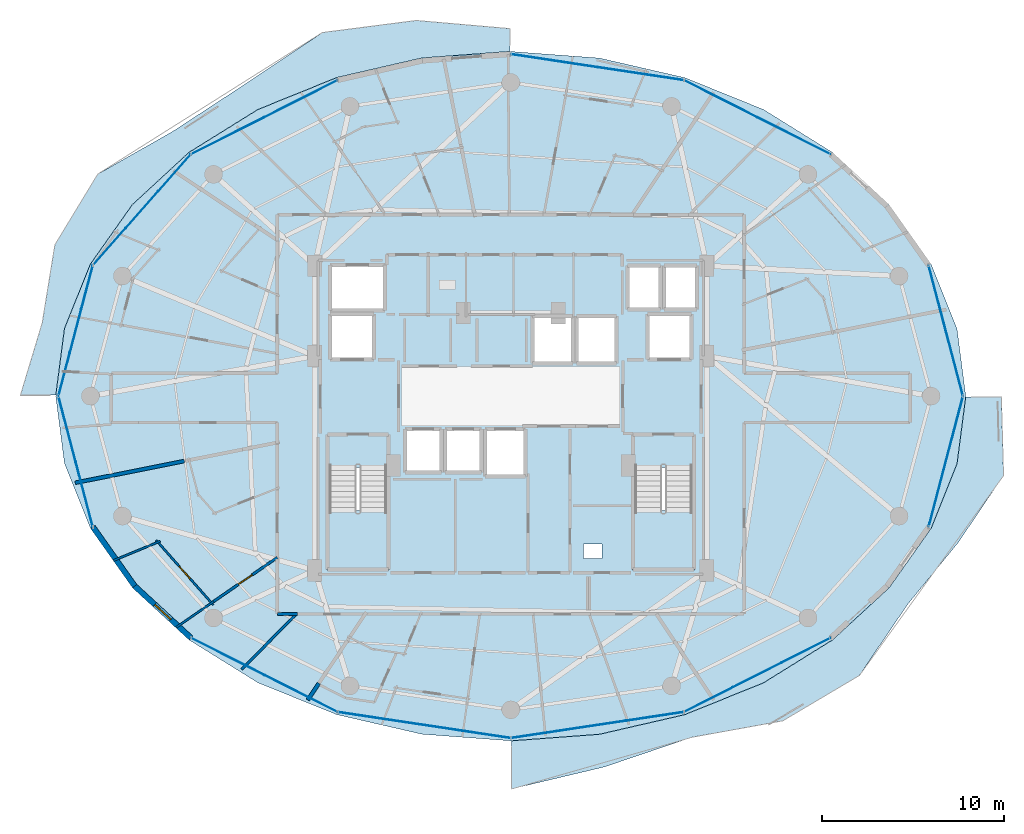
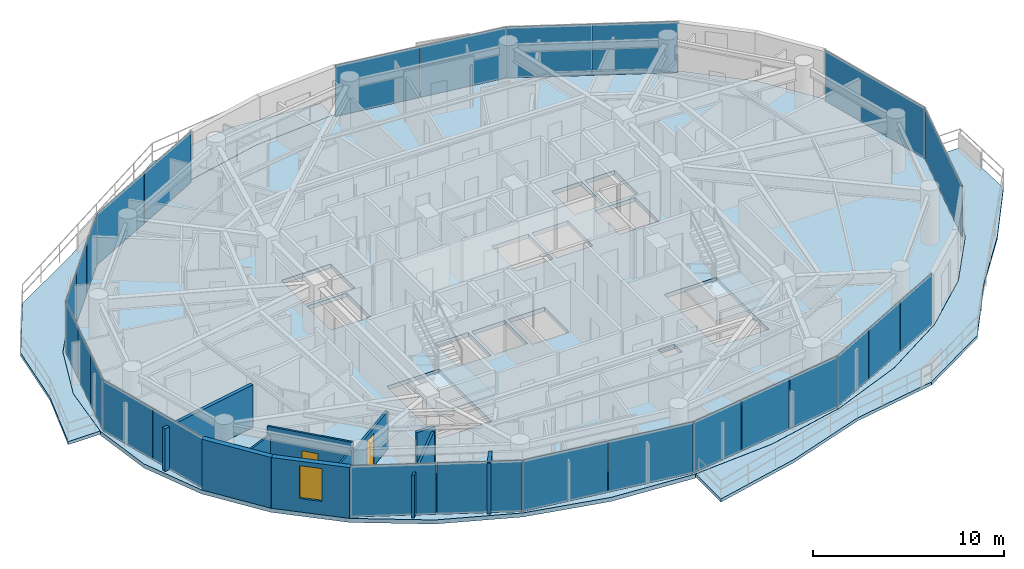
# One storey, part 20 of 30: 26 plates, 10 walls, 5 slabs, 2 doors, 1 window, 3 openings, 6 elements without a shape of their own.
"""IFC4 building model written with IfcOpenShell, lengths in metres."""

from ifc_helpers import new_model, si_unit, direction, frame, frame_2d, origin, origin_2d, place, context, subcontext, project, spatial, polyline, rectangle, outline, extrude, material, layer, layer_set, type_object, element, fill, aggregate, save


model = new_model("IFC4")

# Units and contexts
model_context = context("Model", 3, precision=1e-05, world=origin(), true_north=direction((0.0, 1.0)))
body_context = subcontext(model_context, "Body", "Model", "MODEL_VIEW")
ifc_project = project(units=[si_unit("LENGTHUNIT", "METRE"), si_unit("AREAUNIT", "SQUARE_METRE"), si_unit("VOLUMEUNIT", "CUBIC_METRE"), si_unit("PLANEANGLEUNIT", "RADIAN"), si_unit("MASSUNIT", "GRAM", prefix="KILO")], contexts=[model_context])

# Site, building, storey
site_placement = place(None, origin())
site = spatial("IfcSite", under=ifc_project, at=site_placement, CompositionType="ELEMENT")
building_placement = place(site_placement, origin())
building = spatial("IfcBuilding", under=site, at=building_placement, Name="Vorneva Point Tower", CompositionType="ELEMENT")
storey_placement = place(building_placement, frame((0.0, 0.0, 157.10009765625)))
storey = spatial("IfcBuildingStorey", under=building, at=storey_placement, Name="L42", CompositionType="ELEMENT", Elevation=157.10009765625)

# Curtain wall, plates
ifc_material_1 = material(Name="Pale anodised aluminium", Category="aluminium")
curtain_wall_type = type_object("IfcCurtainWallType", Name="CW-RES-SYS", PredefinedType="NOTDEFINED", material=ifc_material_1)
curtain_wall_1_placement = place(storey_placement, origin())
curtain_wall_1 = element("IfcCurtainWall", 1, at=curtain_wall_1_placement, inside=storey, type_object=curtain_wall_type, Name="L42 Unitised Curtain Wall CW-L42-R01", PredefinedType="NOTDEFINED")
ifc_material_2 = material(Name="Double low-e laminated glass IGU", Category="glass")
ifc_layer_1 = layer(ifc_material_2, 0.035888671875)
ifc_layer_set_1 = layer_set([ifc_layer_1], Name="Double low-e laminated glass IGU")
plate_type = type_object("IfcPlateType", Name="CW-PNL-VIS", PredefinedType="CURTAIN_PANEL", material=ifc_layer_set_1)
plate_1_placement = place(storey_placement, frame((61.856201171875, 22.412353515625, -0.02001953125), z_axis=(0.0, 0.0, 1.0), x_axis=(0.254433162972, 0.967090360608, 0.0)))
plate_1 = element("IfcPlate", 2, at=plate_1_placement, type_object=plate_type, Name="CW-L42-R01 Glazed Panel 01", PredefinedType="CURTAIN_PANEL", context=body_context, shape_type="SweptSolid", body=[
    extrude(rectangle(XDim=7.369384765625, YDim=0.035888671875, at=origin_2d()), origin(), (0.0, 0.0, 1.0), 3.280029296875),
])
plate_2_placement = place(storey_placement, frame((61.856201171875, 29.587646484375, -0.02001953125), z_axis=(0.0, 0.0, 1.0), x_axis=(-0.254433162972, 0.967090360608, 0.0)))
plate_2 = element("IfcPlate", 3, at=plate_2_placement, type_object=plate_type, Name="CW-L42-R01 Glazed Panel 02", PredefinedType="CURTAIN_PANEL", context=body_context, shape_type="SweptSolid", body=[
    extrude(rectangle(XDim=7.369384765625, YDim=0.035888671875, at=origin_2d()), origin(), (0.0, 0.0, 1.0), 3.280029296875),
])
aggregate(curtain_wall_1, [plate_1, plate_2])

curtain_wall_2_placement = place(storey_placement, origin())
curtain_wall_2 = element("IfcCurtainWall", 4, at=curtain_wall_2_placement, inside=storey, type_object=curtain_wall_type, Name="L42 Unitised Curtain Wall CW-L42-R02", PredefinedType="NOTDEFINED")
plate_3_placement = place(storey_placement, frame((53.52490234375, 40.2744140625, -0.02001953125), z_axis=(0.0, 0.0, 1.0), x_axis=(-0.892577949019, 0.450893119182, 0.0)))
plate_3 = element("IfcPlate", 5, at=plate_3_placement, type_object=plate_type, Name="CW-L42-R02 Glazed Panel 01A", PredefinedType="CURTAIN_PANEL", context=body_context, shape_type="SweptSolid", body=[
    extrude(rectangle(XDim=4.45703125, YDim=0.035888671875, at=origin_2d()), origin(), (0.0, 0.0, 1.0), 3.280029296875),
])
plate_4_placement = place(storey_placement, frame((49.501953125, 42.306640625, -0.02001953125), z_axis=(0.0, 0.0, 1.0), x_axis=(-0.892577949019, 0.450893119182, 0.0)))
plate_4 = element("IfcPlate", 6, at=plate_4_placement, type_object=plate_type, Name="CW-L42-R02 Glazed Panel 01B", PredefinedType="CURTAIN_PANEL", context=body_context, shape_type="SweptSolid", body=[
    extrude(rectangle(XDim=4.45703125, YDim=0.035888671875, at=origin_2d()), origin(), (0.0, 0.0, 1.0), 3.280029296875),
])
plate_5_placement = place(storey_placement, frame((45.117919921875, 43.679443359375, -0.02001953125), z_axis=(0.0, 0.0, 1.0), x_axis=(-0.988878712919, 0.148724211669, 0.0)))
plate_5 = element("IfcPlate", 7, at=plate_5_placement, type_object=plate_type, Name="CW-L42-R02 Glazed Panel 02A", PredefinedType="CURTAIN_PANEL", context=body_context, shape_type="SweptSolid", body=[
    extrude(rectangle(XDim=4.74853515625, YDim=0.035888671875, at=origin_2d()), origin(), (0.0, 0.0, 1.0), 3.280029296875),
])
plate_6_placement = place(storey_placement, frame((40.37255859375, 44.393310546875, -0.02001953125), z_axis=(0.0, 0.0, 1.0), x_axis=(-0.988878712919, 0.148724211669, 0.0)))
plate_6 = element("IfcPlate", 8, at=plate_6_placement, type_object=plate_type, Name="CW-L42-R02 Glazed Panel 02B", PredefinedType="CURTAIN_PANEL", context=body_context, shape_type="SweptSolid", body=[
    extrude(rectangle(XDim=4.74853515625, YDim=0.035888671875, at=origin_2d()), origin(), (0.0, 0.0, 1.0), 3.280029296875),
])
aggregate(curtain_wall_2, [plate_3, plate_4, plate_5, plate_6])

curtain_wall_3_placement = place(storey_placement, origin())
curtain_wall_3 = element("IfcCurtainWall", 9, at=curtain_wall_3_placement, inside=storey, type_object=curtain_wall_type, Name="L42 Unitised Curtain Wall CW-L42-R03", PredefinedType="NOTDEFINED")
plate_7_placement = place(storey_placement, frame((26.498046875, 42.306640625, -0.02001953125), z_axis=(0.0, 0.0, 1.0), x_axis=(-0.892577949019, -0.450893119182, 0.0)))
plate_7 = element("IfcPlate", 10, at=plate_7_placement, type_object=plate_type, Name="CW-L42-R03 Glazed Panel 01A", PredefinedType="CURTAIN_PANEL", context=body_context, shape_type="SweptSolid", body=[
    extrude(rectangle(XDim=4.45703125, YDim=0.035888671875, at=origin_2d()), origin(), (0.0, 0.0, 1.0), 3.280029296875),
])
plate_8_placement = place(storey_placement, frame((22.47509765625, 40.2744140625, -0.02001953125), z_axis=(0.0, 0.0, 1.0), x_axis=(-0.892577949019, -0.450893119182, 0.0)))
plate_8 = element("IfcPlate", 11, at=plate_8_placement, type_object=plate_type, Name="CW-L42-R03 Glazed Panel 01B", PredefinedType="CURTAIN_PANEL", context=body_context, shape_type="SweptSolid", body=[
    extrude(rectangle(XDim=4.45703125, YDim=0.035888671875, at=origin_2d()), origin(), (0.0, 0.0, 1.0), 3.280029296875),
])
plate_9_placement = place(storey_placement, frame((19.56787109375, 38.244384765625, -0.02001953125), z_axis=(0.0, 0.0, 1.0), x_axis=(-0.662214727207, -0.749314123095, 0.0)))
plate_9 = element("IfcPlate", 12, at=plate_9_placement, type_object=plate_type, Name="CW-L42-R03 Glazed Panel 02A", PredefinedType="CURTAIN_PANEL", context=body_context, shape_type="SweptSolid", body=[
    extrude(rectangle(XDim=2.656005859375, YDim=0.035888671875, at=origin_2d()), origin(), (0.0, 0.0, 1.0), 3.280029296875),
])
plate_10_placement = place(storey_placement, frame((17.77587890625, 36.216796875, -0.02001953125), z_axis=(0.0, 0.0, 1.0), x_axis=(-0.662214727207, -0.749314123095, 0.0)))
plate_10 = element("IfcPlate", 13, at=plate_10_placement, type_object=plate_type, Name="CW-L42-R03 Glazed Panel 02B", PredefinedType="CURTAIN_PANEL", context=body_context, shape_type="SweptSolid", body=[
    extrude(rectangle(XDim=2.656005859375, YDim=0.035888671875, at=origin_2d()), origin(), (0.0, 0.0, 1.0), 3.280029296875),
])
plate_11_placement = place(storey_placement, frame((15.98388671875, 34.189208984375, -0.02001953125), z_axis=(0.0, 0.0, 1.0), x_axis=(-0.662214727207, -0.749314123095, 0.0)))
plate_11 = element("IfcPlate", 14, at=plate_11_placement, type_object=plate_type, Name="CW-L42-R03 Glazed Panel 02C", PredefinedType="CURTAIN_PANEL", context=body_context, shape_type="SweptSolid", body=[
    extrude(rectangle(XDim=2.656005859375, YDim=0.035888671875, at=origin_2d()), origin(), (0.0, 0.0, 1.0), 3.280029296875),
])
plate_12_placement = place(storey_placement, frame((14.773193359375, 31.9794921875, -0.02001953125), z_axis=(0.0, 0.0, 1.0), x_axis=(-0.254433162972, -0.967090360608, 0.0)))
plate_12 = element("IfcPlate", 15, at=plate_12_placement, type_object=plate_type, Name="CW-L42-R03 Glazed Panel 03A", PredefinedType="CURTAIN_PANEL", context=body_context, shape_type="SweptSolid", body=[
    extrude(rectangle(XDim=2.423095703125, YDim=0.035888671875, at=origin_2d()), origin(), (0.0, 0.0, 1.0), 3.280029296875),
])
plate_13_placement = place(storey_placement, frame((14.143798828125, 29.587646484375, -0.02001953125), z_axis=(0.0, 0.0, 1.0), x_axis=(-0.254433162972, -0.967090360608, 0.0)))
plate_13 = element("IfcPlate", 16, at=plate_13_placement, type_object=plate_type, Name="CW-L42-R03 Glazed Panel 03B", PredefinedType="CURTAIN_PANEL", context=body_context, shape_type="SweptSolid", body=[
    extrude(rectangle(XDim=2.423095703125, YDim=0.035888671875, at=origin_2d()), origin(), (0.0, 0.0, 1.0), 3.280029296875),
])
plate_14_placement = place(storey_placement, frame((13.5146484375, 27.19580078125, -0.02001953125), z_axis=(0.0, 0.0, 1.0), x_axis=(-0.254433162972, -0.967090360608, 0.0)))
plate_14 = element("IfcPlate", 17, at=plate_14_placement, type_object=plate_type, Name="CW-L42-R03 Glazed Panel 03C", PredefinedType="CURTAIN_PANEL", context=body_context, shape_type="SweptSolid", body=[
    extrude(rectangle(XDim=2.423095703125, YDim=0.035888671875, at=origin_2d()), origin(), (0.0, 0.0, 1.0), 3.280029296875),
])
plate_15_placement = place(storey_placement, frame((13.671875, 24.206298828125, -0.02001953125), z_axis=(0.0, 0.0, 1.0), x_axis=(0.254433162972, -0.967090360608, 0.0)))
plate_15 = element("IfcPlate", 18, at=plate_15_placement, type_object=plate_type, Name="CW-L42-R03 Glazed Panel 04A", PredefinedType="CURTAIN_PANEL", context=body_context, shape_type="SweptSolid", body=[
    extrude(rectangle(XDim=3.65966796875, YDim=0.035888671875, at=origin_2d()), origin(), (0.0, 0.0, 1.0), 3.280029296875),
])
plate_16_placement = place(storey_placement, frame((14.615966796875, 20.618408203125, -0.02001953125), z_axis=(0.0, 0.0, 1.0), x_axis=(0.254433162972, -0.967090360608, 0.0)))
plate_16 = element("IfcPlate", 19, at=plate_16_placement, type_object=plate_type, Name="CW-L42-R03 Glazed Panel 04B", PredefinedType="CURTAIN_PANEL", context=body_context, shape_type="SweptSolid", body=[
    extrude(rectangle(XDim=3.65966796875, YDim=0.035888671875, at=origin_2d()), origin(), (0.0, 0.0, 1.0), 3.280029296875),
])
aggregate(curtain_wall_3, [plate_7, plate_8, plate_9, plate_10, plate_11, plate_12, plate_13, plate_14, plate_15, plate_16])

curtain_wall_4_placement = place(storey_placement, origin())
curtain_wall_4 = element("IfcCurtainWall", 20, at=curtain_wall_4_placement, inside=storey, type_object=curtain_wall_type, Name="L42 Unitised Curtain Wall CW-L42-R04", PredefinedType="NOTDEFINED")
plate_17_placement = place(storey_placement, frame((22.47509765625, 11.7255859375, -0.02001953125), z_axis=(0.0, 0.0, 1.0), x_axis=(0.892577949019, -0.450893119182, 0.0)))
plate_17 = element("IfcPlate", 21, at=plate_17_placement, type_object=plate_type, Name="CW-L42-R04 Glazed Panel 01A", PredefinedType="CURTAIN_PANEL", context=body_context, shape_type="SweptSolid", body=[
    extrude(rectangle(XDim=4.45703125, YDim=0.035888671875, at=origin_2d()), origin(), (0.0, 0.0, 1.0), 3.280029296875),
])
plate_18_placement = place(storey_placement, frame((26.498046875, 9.693359375, -0.02001953125), z_axis=(0.0, 0.0, 1.0), x_axis=(0.892577949019, -0.450893119182, 0.0)))
plate_18 = element("IfcPlate", 22, at=plate_18_placement, type_object=plate_type, Name="CW-L42-R04 Glazed Panel 01B", PredefinedType="CURTAIN_PANEL", context=body_context, shape_type="SweptSolid", body=[
    extrude(rectangle(XDim=4.45703125, YDim=0.035888671875, at=origin_2d()), origin(), (0.0, 0.0, 1.0), 3.280029296875),
])
plate_19_placement = place(storey_placement, frame((30.882080078125, 8.320556640625, -0.02001953125), z_axis=(0.0, 0.0, 1.0), x_axis=(0.988878712919, -0.148724211669, 0.0)))
plate_19 = element("IfcPlate", 23, at=plate_19_placement, type_object=plate_type, Name="CW-L42-R04 Glazed Panel 02A", PredefinedType="CURTAIN_PANEL", context=body_context, shape_type="SweptSolid", body=[
    extrude(rectangle(XDim=4.74853515625, YDim=0.035888671875, at=origin_2d()), origin(), (0.0, 0.0, 1.0), 3.280029296875),
])
plate_20_placement = place(storey_placement, frame((35.62744140625, 7.606689453125, -0.02001953125), z_axis=(0.0, 0.0, 1.0), x_axis=(0.988878712919, -0.148724211669, 0.0)))
plate_20 = element("IfcPlate", 24, at=plate_20_placement, type_object=plate_type, Name="CW-L42-R04 Glazed Panel 02B", PredefinedType="CURTAIN_PANEL", context=body_context, shape_type="SweptSolid", body=[
    extrude(rectangle(XDim=4.74853515625, YDim=0.035888671875, at=origin_2d()), origin(), (0.0, 0.0, 1.0), 3.280029296875),
])
plate_21_placement = place(storey_placement, frame((39.581787109375, 7.48779296875, -0.02001953125), z_axis=(0.0, 0.0, 1.0), x_axis=(0.988878712919, 0.148724211669, 0.0)))
plate_21 = element("IfcPlate", 25, at=plate_21_placement, type_object=plate_type, Name="CW-L42-R04 Glazed Panel 03A", PredefinedType="CURTAIN_PANEL", context=body_context, shape_type="SweptSolid", body=[
    extrude(rectangle(XDim=3.149169921875, YDim=0.035888671875, at=origin_2d()), origin(), (0.0, 0.0, 1.0), 3.280029296875),
])
plate_22_placement = place(storey_placement, frame((42.7451171875, 7.963623046875, -0.02001953125), z_axis=(0.0, 0.0, 1.0), x_axis=(0.988878712919, 0.148724211669, 0.0)))
plate_22 = element("IfcPlate", 26, at=plate_22_placement, type_object=plate_type, Name="CW-L42-R04 Glazed Panel 03B", PredefinedType="CURTAIN_PANEL", context=body_context, shape_type="SweptSolid", body=[
    extrude(rectangle(XDim=3.149169921875, YDim=0.035888671875, at=origin_2d()), origin(), (0.0, 0.0, 1.0), 3.280029296875),
])
plate_23_placement = place(storey_placement, frame((45.90869140625, 8.439453125, -0.02001953125), z_axis=(0.0, 0.0, 1.0), x_axis=(0.988878712919, 0.148724211669, 0.0)))
plate_23 = element("IfcPlate", 27, at=plate_23_placement, type_object=plate_type, Name="CW-L42-R04 Glazed Panel 03C", PredefinedType="CURTAIN_PANEL", context=body_context, shape_type="SweptSolid", body=[
    extrude(rectangle(XDim=3.149169921875, YDim=0.035888671875, at=origin_2d()), origin(), (0.0, 0.0, 1.0), 3.280029296875),
])
plate_24_placement = place(storey_placement, frame((48.831298828125, 9.354736328125, -0.02001953125), z_axis=(0.0, 0.0, 1.0), x_axis=(0.892577949019, 0.450893119182, 0.0)))
plate_24 = element("IfcPlate", 28, at=plate_24_placement, type_object=plate_type, Name="CW-L42-R04 Glazed Panel 04A", PredefinedType="CURTAIN_PANEL", context=body_context, shape_type="SweptSolid", body=[
    extrude(rectangle(XDim=2.95458984375, YDim=0.035888671875, at=origin_2d()), origin(), (0.0, 0.0, 1.0), 3.280029296875),
])
plate_25_placement = place(storey_placement, frame((51.513427734375, 10.70947265625, -0.02001953125), z_axis=(0.0, 0.0, 1.0), x_axis=(0.892577949019, 0.450893119182, 0.0)))
plate_25 = element("IfcPlate", 29, at=plate_25_placement, type_object=plate_type, Name="CW-L42-R04 Glazed Panel 04B", PredefinedType="CURTAIN_PANEL", context=body_context, shape_type="SweptSolid", body=[
    extrude(rectangle(XDim=2.95458984375, YDim=0.035888671875, at=origin_2d()), origin(), (0.0, 0.0, 1.0), 3.280029296875),
])
plate_26_placement = place(storey_placement, frame((54.1953125, 12.064208984375, -0.02001953125), z_axis=(0.0, 0.0, 1.0), x_axis=(0.892577949019, 0.450893119182, 0.0)))
plate_26 = element("IfcPlate", 30, at=plate_26_placement, type_object=plate_type, Name="CW-L42-R04 Glazed Panel 04C", PredefinedType="CURTAIN_PANEL", context=body_context, shape_type="SweptSolid", body=[
    extrude(rectangle(XDim=2.95458984375, YDim=0.035888671875, at=origin_2d()), origin(), (0.0, 0.0, 1.0), 3.280029296875),
])
aggregate(curtain_wall_4, [plate_17, plate_18, plate_19, plate_20, plate_21, plate_22, plate_23, plate_24, plate_25, plate_26])

# Slabs
ifc_material_3 = material(Name="Concrete B50 (C40/50)", Category="concrete")
ifc_layer_2 = layer(ifc_material_3, 0.199951171875)
ifc_layer_set_2 = layer_set([ifc_layer_2], Name="Concrete B50 (C40/50)")
slab_type_1 = type_object("IfcSlabType", Name="SLB-BAL-200", PredefinedType="FLOOR", material=ifc_layer_set_2)
slab_1_placement = place(storey_placement, frame((0.0, 0.0, -0.2001953125)))
element("IfcSlab", 31, at=slab_1_placement, inside=storey, type_object=slab_type_1, Name="L42 Cantilevered Wave Balcony NW", PredefinedType="FLOOR", context=body_context, shape_type="SweptSolid", body=[
    extrude(outline(polyline([(11.114990234375, 26.050048828125), (13.052490234375, 26.050048828125), (13.525390625, 29.687744140625), (13.525390625, 29.68798828125), (13.525634765625, 29.6884765625), (13.525634765625, 29.688720703125), (14.945556640625, 33.234130859375), (14.94580078125, 33.234619140625), (14.94580078125, 33.235107421875), (17.25146484375, 36.502685546875), (17.251708984375, 36.5029296875), (17.252197265625, 36.503173828125), (20.35498046875, 39.3671875), (20.355224609375, 39.367431640625), (20.355712890625, 39.36767578125), (24.136474609375, 41.71826171875), (24.13671875, 41.718505859375), (24.136962890625, 41.718505859375), (28.450439453125, 43.465087890625), (28.45068359375, 43.465087890625), (28.451171875, 43.465087890625), (33.131591796875, 44.540771484375), (33.1318359375, 44.540771484375), (33.132080078125, 44.540771484375), (37.949951171875, 44.900390625), (37.949951171875, 46.154296875), (32.821533203125, 46.60009765625), (27.674560546875, 45.93896484375), (23.43359375, 43.107666015625), (19.47900390625, 40.524169921875), (15.35595703125, 38.17529296875), (13.003173828125, 34.296875), (12.307373046875, 30.008056640625), (11.114990234375, 26.050048828125)])), origin(), (0.0, 0.0, 1.0), 0.2001953125),
])
slab_2_placement = place(storey_placement, frame((0.0, 0.0, -0.2001953125)))
element("IfcSlab", 32, at=slab_2_placement, inside=storey, type_object=slab_type_1, Name="L42 Cantilevered Wave Balcony SE", PredefinedType="FLOOR", context=body_context, shape_type="SweptSolid", body=[
    extrude(outline(polyline([(65.020751953125, 21.643310546875), (64.9013671875, 25.949951171875), (62.947509765625, 25.949951171875), (62.474609375, 22.312255859375), (62.474609375, 22.31201171875), (62.474365234375, 22.3115234375), (62.474365234375, 22.311279296875), (61.054443359375, 18.765869140625), (61.05419921875, 18.765380859375), (61.05419921875, 18.764892578125), (58.74853515625, 15.497314453125), (58.748291015625, 15.4970703125), (58.747802734375, 15.496826171875), (55.64501953125, 12.6328125), (55.644775390625, 12.632568359375), (55.644287109375, 12.63232421875), (51.863525390625, 10.28173828125), (51.86328125, 10.281494140625), (51.863037109375, 10.281494140625), (47.549560546875, 8.534912109375), (47.54931640625, 8.534912109375), (47.548828125, 8.534912109375), (42.868408203125, 7.459228515625), (42.8681640625, 7.459228515625), (42.867919921875, 7.459228515625), (38.050048828125, 7.099609375), (38.050048828125, 4.4619140625), (43.1376953125, 5.669921875), (47.93798828125, 7.295166015625), (52.917724609375, 8.198486328125), (57.11865234375, 10.686767578125), (59.77099609375, 14.5947265625), (62.526611328125, 17.960205078125), (65.020751953125, 21.643310546875)])), origin(), (0.0, 0.0, 1.0), 0.2001953125),
])

# Stair, slab
stair_type = type_object("IfcStairType", Name="ST-DOG-1500", PredefinedType="HALF_TURN_STAIR", material=ifc_material_3)
stair_1_placement = place(storey_placement, origin())
stair_1 = element("IfcStair", 33, at=stair_1_placement, inside=storey, type_object=stair_type, Name="L42 ST1", PredefinedType="HALF_TURN_STAIR")
ifc_layer_3 = layer(ifc_material_3, 0.199951171875)
ifc_layer_set_3 = layer_set([ifc_layer_3], Name="Concrete B50 (C40/50)")
slab_type_2 = type_object("IfcSlabType", Name="SLB-LND-200", PredefinedType="LANDING", material=ifc_layer_set_3)
slab_3_placement = place(storey_placement, frame((0.0, 0.0, 1.5498046875)))
slab_3 = element("IfcSlab", 34, at=slab_3_placement, type_object=slab_type_2, Name="ST1 landing 1", PredefinedType="LANDING", context=body_context, shape_type="SweptSolid", body=[
    extrude(outline(polyline([(27.929931640625, 16.47998046875), (31.320068359375, 16.47998046875), (31.320068359375, 19.72998046875), (27.929931640625, 19.72998046875), (27.929931640625, 16.47998046875)])), origin(), (0.0, 0.0, 1.0), 0.2001953125),
])
aggregate(stair_1, [slab_3])

stair_2_placement = place(storey_placement, origin())
stair_2 = element("IfcStair", 35, at=stair_2_placement, inside=storey, type_object=stair_type, Name="L42 ST2", PredefinedType="HALF_TURN_STAIR")
slab_4_placement = place(storey_placement, frame((0.0, 0.0, 1.5498046875)))
slab_4 = element("IfcSlab", 36, at=slab_4_placement, type_object=slab_type_2, Name="ST2 landing 1", PredefinedType="LANDING", context=body_context, shape_type="SweptSolid", body=[
    extrude(outline(polyline([(44.679931640625, 16.47998046875), (48.070068359375, 16.47998046875), (48.070068359375, 19.72998046875), (44.679931640625, 19.72998046875), (44.679931640625, 16.47998046875)])), origin(), (0.0, 0.0, 1.0), 0.2001953125),
])
aggregate(stair_2, [slab_4])

# Slab
ifc_layer_4 = layer(ifc_material_3, 0.260009765625)
ifc_layer_set_4 = layer_set([ifc_layer_4], Name="Concrete B50 (C40/50)")
slab_type_3 = type_object("IfcSlabType", Name="SLB-TYP-260", PredefinedType="FLOOR", material=ifc_layer_set_4)
slab_5_placement = place(storey_placement, frame((0.0, 0.0, -0.260009765625)))
element("IfcSlab", 37, at=slab_5_placement, inside=storey, type_object=slab_type_3, Name="L42 Structural Floor Plate", PredefinedType="FLOOR", context=body_context, shape_type="SweptSolid", body=[
    extrude(outline(polyline([(62.949951171875, 26.0), (62.470703125, 29.687255859375), (61.05078125, 33.232666015625), (58.7451171875, 36.500244140625), (55.642333984375, 39.3642578125), (51.861572265625, 41.71484375), (47.548095703125, 43.461181640625), (42.867431640625, 44.536865234375), (38.0, 44.89990234375), (33.132568359375, 44.536865234375), (28.451904296875, 43.461181640625), (24.138427734375, 41.71484375), (20.357666015625, 39.3642578125), (17.2548828125, 36.500244140625), (14.94921875, 33.232666015625), (13.529296875, 29.687255859375), (13.050048828125, 26.0), (13.529296875, 22.312744140625), (14.94921875, 18.767333984375), (17.2548828125, 15.499755859375), (20.357666015625, 12.6357421875), (24.138427734375, 10.28515625), (28.451904296875, 8.538818359375), (33.132568359375, 7.463134765625), (38.0, 7.10009765625), (42.867431640625, 7.463134765625), (47.548095703125, 8.538818359375), (51.861572265625, 10.28515625), (55.642333984375, 12.6357421875), (58.7451171875, 15.499755859375), (61.05078125, 18.767333984375), (62.470703125, 22.312744140625), (62.949951171875, 26.0)]), holes=[polyline([(32.199951171875, 21.800048828125), (34.199951171875, 21.800048828125), (34.199951171875, 24.199951171875), (32.199951171875, 24.199951171875), (32.199951171875, 21.800048828125)]), polyline([(34.39990234375, 21.800048828125), (36.39990234375, 21.800048828125), (36.39990234375, 24.199951171875), (34.39990234375, 24.199951171875), (34.39990234375, 21.800048828125)]), polyline([(36.60009765625, 21.60009765625), (38.800048828125, 21.60009765625), (38.800048828125, 24.199951171875), (36.60009765625, 24.199951171875), (36.60009765625, 21.60009765625)]), polyline([(39.199951171875, 27.800048828125), (41.39990234375, 27.800048828125), (41.39990234375, 30.39990234375), (39.199951171875, 30.39990234375), (39.199951171875, 27.800048828125)]), polyline([(41.60009765625, 27.800048828125), (43.800048828125, 27.800048828125), (43.800048828125, 30.39990234375), (41.60009765625, 30.39990234375), (41.60009765625, 27.800048828125)]), polyline([(44.39990234375, 30.739990234375), (46.199951171875, 30.739990234375), (46.199951171875, 33.159912109375), (44.39990234375, 33.159912109375), (44.39990234375, 30.739990234375)]), polyline([(46.39990234375, 30.739990234375), (48.199951171875, 30.739990234375), (48.199951171875, 33.159912109375), (46.39990234375, 33.159912109375), (46.39990234375, 30.739990234375)]), polyline([(28.10009765625, 28.0), (30.5, 28.0), (30.5, 30.5), (28.10009765625, 30.5), (28.10009765625, 28.0)]), polyline([(45.5, 28.0), (47.89990234375, 28.0), (47.89990234375, 30.5), (45.5, 30.5), (45.5, 28.0)]), polyline([(28.10009765625, 30.699951171875), (31.10009765625, 30.699951171875), (31.10009765625, 33.199951171875), (28.10009765625, 33.199951171875), (28.10009765625, 30.699951171875)]), polyline([(28.050048828125, 16.60009765625), (31.199951171875, 16.60009765625), (31.199951171875, 22.080078125), (28.050048828125, 22.080078125), (28.050048828125, 16.60009765625)]), polyline([(44.800048828125, 16.60009765625), (47.949951171875, 16.60009765625), (47.949951171875, 22.080078125), (44.800048828125, 22.080078125), (44.800048828125, 16.60009765625)]), polyline([(42.0, 17.10009765625), (43.0, 17.10009765625), (43.0, 17.89990234375), (42.0, 17.89990234375), (42.0, 17.10009765625)])]), origin(), (0.0, 0.0, 1.0), 0.260009765625),
])

# Wall
ifc_material_4 = material(Name="Precast concrete B50 (C40/50)", Category="concrete")
ifc_layer_5 = layer(ifc_material_4, 0.300048828125)
ifc_layer_set_5 = layer_set([ifc_layer_5], Name="Precast concrete B50 (C40/50)")
wall_type_1 = type_object("IfcWallType", Name="WL-EXT-300", PredefinedType="STANDARD", material=ifc_layer_set_5)
wall_1_placement = place(storey_placement, frame((15.087890625, 18.82470703125, 0.0), z_axis=(0.0, 0.0, 1.0), x_axis=(0.577269753207, -0.816553508371, 0.0)))
element("IfcWall", 38, at=wall_1_placement, inside=storey, type_object=wall_type_1, Name="L42 Pale-Metal Facade Spandrel Wall 10.1", PredefinedType="STANDARD", context=body_context, shape_type="SweptSolid", body=[
    extrude(rectangle(XDim=3.969970703125, YDim=0.300048828125, at=frame_2d((1.98486328125, 0.0))), origin(), (0.0, 0.0, 1.0), 3.239990234375),
])

# Wall, opening, window
wall_2_placement = place(storey_placement, frame((17.379638671875, 15.5830078125, 0.0), z_axis=(0.0, 0.0, 1.0), x_axis=(0.735477154165, -0.677549522693, 0.0)))
wall_2 = element("IfcWall", 39, at=wall_2_placement, inside=storey, type_object=wall_type_1, Name="L42 Pale-Metal Facade Spandrel Wall 10.2", PredefinedType="STANDARD", context=body_context, shape_type="SweptSolid", body=[
    extrude(rectangle(XDim=4.193603515625, YDim=0.300048828125, at=frame_2d((2.0966796875, 0.0))), origin(), (0.0, 0.0, 1.0), 3.239990234375),
])
opening_1_placement = place(wall_2_placement, frame((1.496826171875, 0.0, 0.85009765625)))
opening_1 = element("IfcOpeningElement", 40, at=opening_1_placement, cuts=wall_2, Name="Opening W-04", PredefinedType="OPENING", context=body_context, shape_type="SweptSolid", body=[
    extrude(rectangle(XDim=1.199951171875, YDim=2.10009765625, at=frame_2d((0.60009765625, 1.050048828125))), frame((0.0, 0.1650390625, 0.0), z_axis=(0.0, -1.0, 0.0), x_axis=(1.0, 0.0, 0.0)), (0.0, 0.0, 1.0), 0.329833984375),
])
window_type = type_object("IfcWindowType", Name="WN-RES-1200", PartitioningType="SINGLE_PANEL", PredefinedType="WINDOW", material=ifc_material_2)
window_placement = place(opening_1_placement, origin())
window = element("IfcWindow", 41, at=window_placement, inside=storey, type_object=window_type, Name="L42 Facade Window 10", OverallHeight=2.10009765625, OverallWidth=1.199951171875, PartitioningType="SINGLE_PANEL", PredefinedType="WINDOW", context=body_context, shape_type="SweptSolid", body=[
    extrude(rectangle(XDim=1.199951171875, YDim=2.10009765625, at=frame_2d((0.60009765625, 1.050048828125))), frame((0.0, 0.030029296875, 0.0), z_axis=(0.0, -1.0, 0.0), x_axis=(1.0, 0.0, 0.0)), (0.0, 0.0, 1.0), 0.06005859375),
])
fill(opening_1, window)

# Wall
ifc_material_5 = material(Name="Fire-rated acoustic gypsum stud partition", Category="gypsum")
ifc_layer_6 = layer(ifc_material_5, 0.110107421875)
ifc_layer_set_6 = layer_set([ifc_layer_6], Name="Fire-rated acoustic gypsum stud partition")
wall_type_2 = type_object("IfcWallType", Name="WL-PART-110", PredefinedType="PARTITIONING", material=ifc_layer_set_6)
wall_3_placement = place(storey_placement, frame((16.2216796875, 16.987548828125, 0.0), z_axis=(0.0, 0.0, 1.0), x_axis=(0.924067287951, 0.382229835751, 0.0)))
element("IfcWall", 42, at=wall_3_placement, inside=storey, type_object=wall_type_2, Name="L42 Interior Partition 121", PredefinedType="PARTITIONING", context=body_context, shape_type="SweptSolid", body=[
    extrude(rectangle(XDim=2.770263671875, YDim=0.110107421875, at=frame_2d((1.38525390625, 0.0))), origin(), (0.0, 0.0, 1.0), 2.727783203125),
])

# Wall, opening, door
wall_4_placement = place(storey_placement, frame((18.559326171875, 18.097900390625, 0.0), z_axis=(0.0, 0.0, 1.0), x_axis=(0.662122223318, -0.749395864272, 0.0)))
wall_4 = element("IfcWall", 43, at=wall_4_placement, inside=storey, type_object=wall_type_2, Name="L42 Interior Partition 122", PredefinedType="PARTITIONING", context=body_context, shape_type="SweptSolid", body=[
    extrude(rectangle(XDim=4.724853515625, YDim=0.110107421875, at=frame_2d((2.3623046875, 0.0))), origin(), (0.0, 0.0, 1.0), 3.239990234375),
])
opening_2_placement = place(wall_4_placement, frame((1.912353515625, 0.0, 0.0)))
opening_2 = element("IfcOpeningElement", 44, at=opening_2_placement, cuts=wall_4, Name="Opening ID-01", PredefinedType="OPENING", context=body_context, shape_type="SweptSolid", body=[
    extrude(rectangle(XDim=0.89990234375, YDim=2.10009765625, at=frame_2d((0.449951171875, 1.050048828125))), frame((0.0, 0.06982421875, 0.0), z_axis=(0.0, -1.0, 0.0), x_axis=(1.0, 0.0, 0.0)), (0.0, 0.0, 1.0), 0.139892578125),
])
ifc_material_6 = material(Name="Engineered oak fire-rated door leaf", Category="wood")
door_type = type_object("IfcDoorType", Name="DR-ROOM-900", OperationType="NOTDEFINED", PredefinedType="DOOR", material=ifc_material_6)
door_1_placement = place(opening_2_placement, origin())
door_1 = element("IfcDoor", 45, at=door_1_placement, inside=storey, type_object=door_type, Name="L42 Door Living and Dining Room L42-05 / Kitchen L42-05", OperationType="SINGLE_SWING_LEFT", OverallHeight=2.10009765625, OverallWidth=0.89990234375, PredefinedType="DOOR", context=body_context, shape_type="SweptSolid", body=[
    extrude(rectangle(XDim=0.89990234375, YDim=2.10009765625, at=frame_2d((0.449951171875, 1.050048828125))), frame((0.0, 0.02490234375, 0.0), z_axis=(0.0, -1.0, 0.0), x_axis=(1.0, 0.0, 0.0)), (0.0, 0.0, 1.0), 0.050048828125),
])
fill(opening_2, door_1)

# Wall
wall_5_placement = place(storey_placement, frame((21.710205078125, 14.74169921875, 0.0), z_axis=(0.0, 0.0, 1.0), x_axis=(-0.822632807799, -0.568573006335, 0.0)))
element("IfcWall", 46, at=wall_5_placement, inside=storey, type_object=wall_type_2, Name="L42 Interior Partition 123", PredefinedType="PARTITIONING", context=body_context, shape_type="SweptSolid", body=[
    extrude(rectangle(XDim=2.511962890625, YDim=0.110107421875, at=frame_2d((1.255859375, 0.0))), origin(), (0.0, 0.0, 1.0), 2.727783203125),
])

# Wall, opening, door
ifc_layer_7 = layer(ifc_material_5, 0.139892578125)
ifc_layer_set_7 = layer_set([ifc_layer_7], Name="Fire-rated acoustic gypsum stud partition")
wall_type_3 = type_object("IfcWallType", Name="WL-PART-140", PredefinedType="PARTITIONING", material=ifc_layer_set_7)
wall_6_placement = place(storey_placement, frame((21.710205078125, 14.741455078125, 0.0), z_axis=(0.0, 0.0, 1.0), x_axis=(0.822672586971, 0.568515448027, 0.0)))
wall_6 = element("IfcWall", 47, at=wall_6_placement, inside=storey, type_object=wall_type_3, Name="L42 Interior Partition 124", PredefinedType="PARTITIONING", context=body_context, shape_type="SweptSolid", body=[
    extrude(rectangle(XDim=4.241943359375, YDim=0.139892578125, at=frame_2d((2.12109375, 0.0))), origin(), (0.0, 0.0, 1.0), 2.431884765625),
])
opening_3_placement = place(wall_6_placement, frame((1.6708984375, 0.0, 0.0)))
opening_3 = element("IfcOpeningElement", 48, at=opening_3_placement, cuts=wall_6, Name="Opening ID-01", PredefinedType="OPENING", context=body_context, shape_type="SweptSolid", body=[
    extrude(rectangle(XDim=0.89990234375, YDim=2.10009765625, at=frame_2d((0.449951171875, 1.050048828125))), frame((0.0, 0.0849609375, 0.0), z_axis=(0.0, -1.0, 0.0), x_axis=(1.0, 0.0, 0.0)), (0.0, 0.0, 1.0), 0.169677734375),
])
door_2_placement = place(opening_3_placement, origin())
door_2 = element("IfcDoor", 49, at=door_2_placement, inside=storey, type_object=door_type, Name="L42 Door Living and Dining Room L42-05 / Master Bedroom L42-05.1", OperationType="SINGLE_SWING_RIGHT", OverallHeight=2.10009765625, OverallWidth=0.89990234375, PredefinedType="DOOR", context=body_context, shape_type="SweptSolid", body=[
    extrude(rectangle(XDim=0.89990234375, YDim=2.10009765625, at=frame_2d((0.449951171875, 1.050048828125))), frame((0.0, 0.02490234375, 0.0), z_axis=(0.0, -1.0, 0.0), x_axis=(1.0, 0.0, 0.0)), (0.0, 0.0, 1.0), 0.050048828125),
])
fill(opening_3, door_2)

# Walls
wall_7_placement = place(storey_placement, frame((23.2490234375, 11.014892578125, 0.0), z_axis=(0.0, 0.0, 1.0), x_axis=(0.701437189486, 0.712731274188, 0.0)))
element("IfcWall", 50, at=wall_7_placement, inside=storey, type_object=wall_type_3, Name="L42 Interior Partition 125", PredefinedType="PARTITIONING", context=body_context, shape_type="SweptSolid", body=[
    extrude(rectangle(XDim=4.258544921875, YDim=0.139892578125, at=frame_2d((2.12939453125, 0.0))), origin(), (0.0, 0.0, 1.0), 2.727783203125),
])
ifc_material_7 = material(Name="Autoclaved aerated concrete blockwork", Category="masonry")
ifc_layer_8 = layer(ifc_material_7, 0.179931640625)
ifc_layer_set_8 = layer_set([ifc_layer_8], Name="Autoclaved aerated concrete blockwork")
wall_type_4 = type_object("IfcWallType", Name="WL-PART-180", PredefinedType="PARTITIONING", material=ifc_layer_set_8)
wall_8_placement = place(storey_placement, frame((25.199951171875, 14.050048828125, 0.0), z_axis=(0.0, 0.0, 1.0), x_axis=(1.0, 0.0, 0.0)))
element("IfcWall", 51, at=wall_8_placement, inside=storey, type_object=wall_type_4, Name="L42 Interior Partition 059", PredefinedType="PARTITIONING", context=body_context, shape_type="SweptSolid", body=[
    extrude(rectangle(XDim=1.095947265625, YDim=0.179931640625, at=frame_2d((0.5478515625, 0.0))), origin(), (0.0, 0.0, 1.0), 2.971923828125),
])
ifc_layer_9 = layer(ifc_material_7, 0.199951171875)
ifc_layer_set_9 = layer_set([ifc_layer_9], Name="Autoclaved aerated concrete blockwork")
wall_type_5 = type_object("IfcWallType", Name="WL-PART-200", PredefinedType="PARTITIONING", material=ifc_layer_set_9)
wall_9_placement = place(storey_placement, frame((14.116943359375, 21.2490234375, 0.0), z_axis=(0.0, 0.0, 1.0), x_axis=(0.980766298352, 0.19518572698, 0.0)))
element("IfcWall", 52, at=wall_9_placement, inside=storey, type_object=wall_type_5, Name="L42 Interior Partition 115", PredefinedType="PARTITIONING", context=body_context, shape_type="SweptSolid", body=[
    extrude(rectangle(XDim=6.1064453125, YDim=0.199951171875, at=frame_2d((3.05322265625, 0.0))), origin(), (0.0, 0.0, 1.0), 2.727783203125),
])
wall_10_placement = place(storey_placement, frame((26.868896484375, 9.341064453125, 0.0), z_axis=(0.0, 0.0, 1.0), x_axis=(0.555772359104, 0.831334520428, 0.0)))
element("IfcWall", 53, at=wall_10_placement, inside=storey, type_object=wall_type_5, Name="L42 Interior Partition 126", PredefinedType="PARTITIONING", context=body_context, shape_type="SweptSolid", body=[
    extrude(rectangle(XDim=1.10302734375, YDim=0.199951171875, at=frame_2d((0.551513671875, 0.0))), origin(), (0.0, 0.0, 1.0), 3.239990234375),
])

save(model, "model.ifc")
